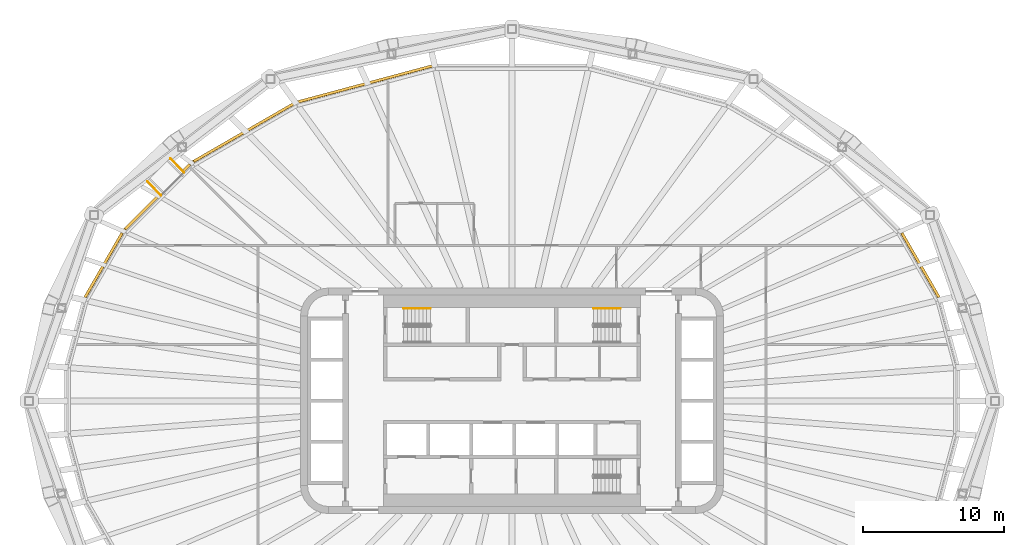
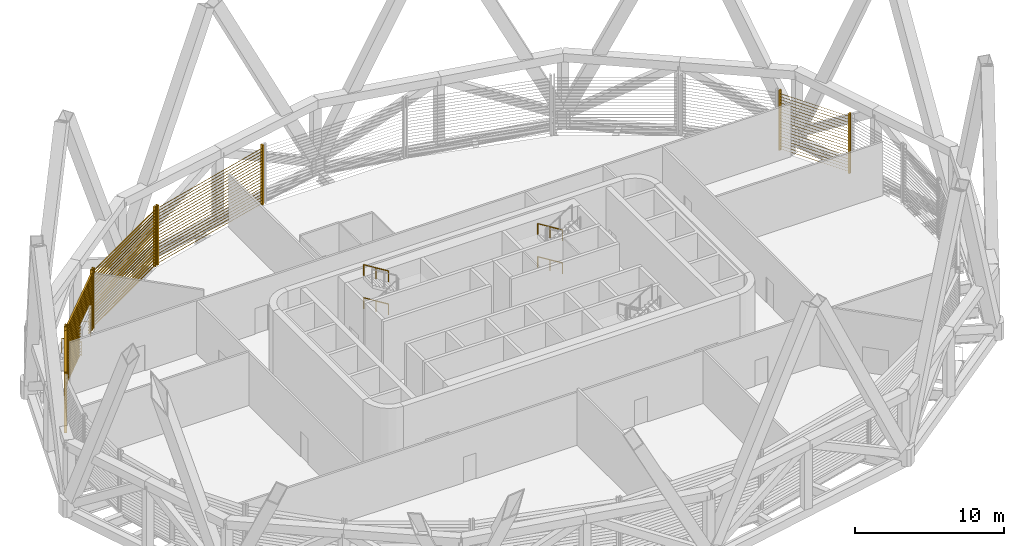
# One storey, part 16 of 18: 6 railings, 5 shading devices.
"""IFC4 building model written with IfcOpenShell, lengths in metres."""

from ifc_helpers import new_model, si_unit, direction, frame, origin, origin_2d, place, context, subcontext, project, spatial, rectangle, circle, extrude, material, type_object, element, save


model = new_model("IFC4")

# Units and contexts
model_context = context("Model", 3, precision=1e-05, world=origin(), true_north=direction((0.0, 1.0)))
body_context = subcontext(model_context, "Body", "Model", "MODEL_VIEW")
ifc_project = project(units=[si_unit("LENGTHUNIT", "METRE"), si_unit("AREAUNIT", "SQUARE_METRE"), si_unit("VOLUMEUNIT", "CUBIC_METRE"), si_unit("PLANEANGLEUNIT", "RADIAN"), si_unit("MASSUNIT", "GRAM", prefix="KILO")], contexts=[model_context])

# Site, building, storey
site_placement = place(None, origin())
site = spatial("IfcSite", under=ifc_project, at=site_placement, CompositionType="ELEMENT")
building_placement = place(site_placement, origin())
building = spatial("IfcBuilding", under=site, at=building_placement, Name="Sahrelin Media Tower", CompositionType="ELEMENT")
storey_placement = place(building_placement, frame((0.0, 0.0, 148.199951171875)))
storey = spatial("IfcBuildingStorey", under=building, at=storey_placement, Name="L30", CompositionType="ELEMENT", Elevation=148.199951171875)

# Railings
ifc_material_1 = material(Name="Stainless steel 316", Category="steel")
railing_type_1 = type_object("IfcRailingType", Name="Maintenance platform guard", PredefinedType="GUARDRAIL", material=ifc_material_1)
railing_1_placement = place(storey_placement, frame((-23.2509765625, 16.19580078125, 0.0)))
element("IfcRailing", 1, at=railing_1_placement, inside=storey, type_object=railing_type_1, Name="Maintenance platform guard L30-09-A", PredefinedType="GUARDRAIL", context=body_context, shape_type="SweptSolid", body=[
    extrude(circle(Radius=0.02392578125, at=origin_2d()), frame((0.0, 0.0, 1.17578125), z_axis=(-0.707106781187, 0.707106781187, 0.0), x_axis=(-0.707106781187, -0.707106781187, 0.0)), (0.0, 0.0, 1.0), 1.365478515625),
    extrude(circle(Radius=0.02099609375, at=origin_2d()), origin(), (0.0, 0.0, 1.0), 1.15185546875),
    extrude(circle(Radius=0.02099609375, at=origin_2d()), frame((-0.48291015625, 0.48291015625, 0.0)), (0.0, 0.0, 1.0), 1.15185546875),
    extrude(circle(Radius=0.02099609375, at=origin_2d()), frame((-0.965576171875, 0.965576171875, 0.0)), (0.0, 0.0, 1.0), 1.15185546875),
])
railing_2_placement = place(storey_placement, frame((-24.877197265625, 14.569580078125, 0.0)))
element("IfcRailing", 2, at=railing_2_placement, inside=storey, type_object=railing_type_1, Name="Maintenance platform guard L30-09-B", PredefinedType="GUARDRAIL", context=body_context, shape_type="SweptSolid", body=[
    extrude(circle(Radius=0.02392578125, at=origin_2d()), frame((0.0, 0.0, 1.17578125), z_axis=(-0.707285546639, 0.706927970528, 0.0), x_axis=(-0.706927970528, -0.707285546639, 0.0)), (0.0, 0.0, 1.0), 1.365478515625),
    extrude(circle(Radius=0.02099609375, at=origin_2d()), origin(), (0.0, 0.0, 1.0), 1.15185546875),
    extrude(circle(Radius=0.02099609375, at=origin_2d()), frame((-0.48291015625, 0.482666015625, 0.0)), (0.0, 0.0, 1.0), 1.15185546875),
    extrude(circle(Radius=0.02099609375, at=origin_2d()), frame((-0.9658203125, 0.96533203125, 0.0)), (0.0, 0.0, 1.0), 1.15185546875),
])

# Shading devices
ifc_material_2 = material(Name="Champagne anodised aluminium 6063-T6", Category="aluminium")
shading_device_type = type_object("IfcShadingDeviceType", Name="Sand-rejection louvre band", PredefinedType="USERDEFINED", material=ifc_material_2)
shading_device_1_placement = place(storey_placement, frame((28.866943359375, 9.552734375, 0.0), z_axis=(0.0, 0.0, 1.0), x_axis=(0.500011000363, -0.866019052629, 0.0)))
element("IfcShadingDevice", 3, at=shading_device_1_placement, inside=storey, type_object=shading_device_type, Name="L30:LOUVRE:L30-02", ObjectType="LOUVRE", PredefinedType="USERDEFINED", context=body_context, shape_type="SweptSolid", body=[
    extrude(rectangle(XDim=0.1201171875, YDim=0.199951171875, at=origin_2d()), frame((2.69580078125, 0.10009765625, 0.050048828125), z_axis=(0.0, 0.0, 1.0), x_axis=(1.0, 0.0, 0.0)), (0.0, 0.0, 1.0), 4.8984375),
    extrude(rectangle(XDim=0.1201171875, YDim=0.199951171875, at=origin_2d()), frame((-2.69580078125, 0.10009765625, 0.050048828125), z_axis=(0.0, 0.0, 1.0), x_axis=(1.0, 0.0, 0.0)), (0.0, 0.0, 1.0), 4.8984375),
    extrude(rectangle(XDim=0.25, YDim=0.02001953125, at=origin_2d()), frame((2.635986328125, 0.10009765625, 0.14990234375), z_axis=(-1.0, 0.0, 0.0), x_axis=(0.0, -0.766044443119, 0.642787609687)), (0.0, 0.0, 1.0), 5.27197265625),
    extrude(rectangle(XDim=0.25, YDim=0.02001953125, at=origin_2d()), frame((2.635986328125, 0.10009765625, 0.39990234375), z_axis=(-1.0, 0.0, 0.0), x_axis=(0.0, -0.766044443119, 0.642787609687)), (0.0, 0.0, 1.0), 5.27197265625),
    extrude(rectangle(XDim=0.25, YDim=0.02001953125, at=origin_2d()), frame((2.635986328125, 0.10009765625, 0.64990234375), z_axis=(-1.0, 0.0, 0.0), x_axis=(0.0, -0.766044443119, 0.642787609687)), (0.0, 0.0, 1.0), 5.27197265625),
    extrude(rectangle(XDim=0.25, YDim=0.02001953125, at=origin_2d()), frame((2.635986328125, 0.10009765625, 0.89990234375), z_axis=(-1.0, 0.0, 0.0), x_axis=(0.0, -0.766044443119, 0.642787609687)), (0.0, 0.0, 1.0), 5.27197265625),
    extrude(rectangle(XDim=0.25, YDim=0.02001953125, at=origin_2d()), frame((2.635986328125, 0.10009765625, 1.14990234375), z_axis=(-1.0, 0.0, 0.0), x_axis=(0.0, -0.766044443119, 0.642787609687)), (0.0, 0.0, 1.0), 5.27197265625),
    extrude(rectangle(XDim=0.25, YDim=0.02001953125, at=origin_2d()), frame((2.635986328125, 0.10009765625, 1.39990234375), z_axis=(-1.0, 0.0, 0.0), x_axis=(0.0, -0.766044443119, 0.642787609687)), (0.0, 0.0, 1.0), 5.27197265625),
    extrude(rectangle(XDim=0.25, YDim=0.02001953125, at=origin_2d()), frame((2.635986328125, 0.10009765625, 1.64990234375), z_axis=(-1.0, 0.0, 0.0), x_axis=(0.0, -0.766044443119, 0.642787609687)), (0.0, 0.0, 1.0), 5.27197265625),
    extrude(rectangle(XDim=0.25, YDim=0.02001953125, at=origin_2d()), frame((2.635986328125, 0.10009765625, 1.89990234375), z_axis=(-1.0, 0.0, 0.0), x_axis=(0.0, -0.766044443119, 0.642787609687)), (0.0, 0.0, 1.0), 5.27197265625),
    extrude(rectangle(XDim=0.25, YDim=0.02001953125, at=origin_2d()), frame((2.635986328125, 0.10009765625, 2.14990234375), z_axis=(-1.0, 0.0, 0.0), x_axis=(0.0, -0.766044443119, 0.642787609687)), (0.0, 0.0, 1.0), 5.27197265625),
    extrude(rectangle(XDim=0.25, YDim=0.02001953125, at=origin_2d()), frame((2.635986328125, 0.10009765625, 2.39990234375), z_axis=(-1.0, 0.0, 0.0), x_axis=(0.0, -0.766044443119, 0.642787609687)), (0.0, 0.0, 1.0), 5.27197265625),
    extrude(rectangle(XDim=0.25, YDim=0.02001953125, at=origin_2d()), frame((2.635986328125, 0.10009765625, 2.64990234375), z_axis=(-1.0, 0.0, 0.0), x_axis=(0.0, -0.766044443119, 0.642787609687)), (0.0, 0.0, 1.0), 5.27197265625),
    extrude(rectangle(XDim=0.25, YDim=0.02001953125, at=origin_2d()), frame((2.635986328125, 0.10009765625, 2.89990234375), z_axis=(-1.0, 0.0, 0.0), x_axis=(0.0, -0.766044443119, 0.642787609687)), (0.0, 0.0, 1.0), 5.27197265625),
    extrude(rectangle(XDim=0.25, YDim=0.02001953125, at=origin_2d()), frame((2.635986328125, 0.10009765625, 3.14990234375), z_axis=(-1.0, 0.0, 0.0), x_axis=(0.0, -0.766044443119, 0.642787609687)), (0.0, 0.0, 1.0), 5.27197265625),
    extrude(rectangle(XDim=0.25, YDim=0.02001953125, at=origin_2d()), frame((2.635986328125, 0.10009765625, 3.39990234375), z_axis=(-1.0, 0.0, 0.0), x_axis=(0.0, -0.766044443119, 0.642787609687)), (0.0, 0.0, 1.0), 5.27197265625),
    extrude(rectangle(XDim=0.25, YDim=0.02001953125, at=origin_2d()), frame((2.635986328125, 0.10009765625, 3.64990234375), z_axis=(-1.0, 0.0, 0.0), x_axis=(0.0, -0.766044443119, 0.642787609687)), (0.0, 0.0, 1.0), 5.27197265625),
    extrude(rectangle(XDim=0.25, YDim=0.02001953125, at=origin_2d()), frame((2.635986328125, 0.10009765625, 3.89990234375), z_axis=(-1.0, 0.0, 0.0), x_axis=(0.0, -0.766044443119, 0.642787609687)), (0.0, 0.0, 1.0), 5.27197265625),
    extrude(rectangle(XDim=0.25, YDim=0.02001953125, at=origin_2d()), frame((2.635986328125, 0.10009765625, 4.14990234375), z_axis=(-1.0, 0.0, 0.0), x_axis=(0.0, -0.766044443119, 0.642787609687)), (0.0, 0.0, 1.0), 5.27197265625),
    extrude(rectangle(XDim=0.25, YDim=0.02001953125, at=origin_2d()), frame((2.635986328125, 0.10009765625, 4.39990234375), z_axis=(-1.0, 0.0, 0.0), x_axis=(0.0, -0.766044443119, 0.642787609687)), (0.0, 0.0, 1.0), 5.27197265625),
    extrude(rectangle(XDim=0.25, YDim=0.02001953125, at=origin_2d()), frame((2.635986328125, 0.10009765625, 4.64990234375), z_axis=(-1.0, 0.0, 0.0), x_axis=(0.0, -0.766044443119, 0.642787609687)), (0.0, 0.0, 1.0), 5.27197265625),
])
shading_device_2_placement = place(storey_placement, frame((-10.375, 22.36572265625, 0.0), z_axis=(0.0, 0.0, 1.0), x_axis=(0.965928857556, 0.258807731996, 0.0)))
element("IfcShadingDevice", 4, at=shading_device_2_placement, inside=storey, type_object=shading_device_type, Name="L30:LOUVRE:L30-07", ObjectType="LOUVRE", PredefinedType="USERDEFINED", context=body_context, shape_type="SweptSolid", body=[
    extrude(rectangle(XDim=0.1201171875, YDim=0.199951171875, at=origin_2d()), frame((4.977294921875, 0.10009765625, 0.050048828125), z_axis=(0.0, 0.0, 1.0), x_axis=(1.0, 0.0, 0.0)), (0.0, 0.0, 1.0), 4.8984375),
    extrude(rectangle(XDim=0.1201171875, YDim=0.199951171875, at=origin_2d()), frame((-4.977294921875, 0.10009765625, 0.050048828125), z_axis=(0.0, 0.0, 1.0), x_axis=(1.0, 0.0, 0.0)), (0.0, 0.0, 1.0), 4.8984375),
    extrude(rectangle(XDim=0.25, YDim=0.02001953125, at=origin_2d()), frame((4.917236328125, 0.10009765625, 0.14990234375), z_axis=(-1.0, 0.0, 0.0), x_axis=(0.0, -0.766044443119, 0.642787609687)), (0.0, 0.0, 1.0), 9.83447265625),
    extrude(rectangle(XDim=0.25, YDim=0.02001953125, at=origin_2d()), frame((4.917236328125, 0.10009765625, 0.39990234375), z_axis=(-1.0, 0.0, 0.0), x_axis=(0.0, -0.766044443119, 0.642787609687)), (0.0, 0.0, 1.0), 9.83447265625),
    extrude(rectangle(XDim=0.25, YDim=0.02001953125, at=origin_2d()), frame((4.917236328125, 0.10009765625, 0.64990234375), z_axis=(-1.0, 0.0, 0.0), x_axis=(0.0, -0.766044443119, 0.642787609687)), (0.0, 0.0, 1.0), 9.83447265625),
    extrude(rectangle(XDim=0.25, YDim=0.02001953125, at=origin_2d()), frame((4.917236328125, 0.10009765625, 0.89990234375), z_axis=(-1.0, 0.0, 0.0), x_axis=(0.0, -0.766044443119, 0.642787609687)), (0.0, 0.0, 1.0), 9.83447265625),
    extrude(rectangle(XDim=0.25, YDim=0.02001953125, at=origin_2d()), frame((4.917236328125, 0.10009765625, 1.14990234375), z_axis=(-1.0, 0.0, 0.0), x_axis=(0.0, -0.766044443119, 0.642787609687)), (0.0, 0.0, 1.0), 9.83447265625),
    extrude(rectangle(XDim=0.25, YDim=0.02001953125, at=origin_2d()), frame((4.917236328125, 0.10009765625, 1.39990234375), z_axis=(-1.0, 0.0, 0.0), x_axis=(0.0, -0.766044443119, 0.642787609687)), (0.0, 0.0, 1.0), 9.83447265625),
    extrude(rectangle(XDim=0.25, YDim=0.02001953125, at=origin_2d()), frame((4.917236328125, 0.10009765625, 1.64990234375), z_axis=(-1.0, 0.0, 0.0), x_axis=(0.0, -0.766044443119, 0.642787609687)), (0.0, 0.0, 1.0), 9.83447265625),
    extrude(rectangle(XDim=0.25, YDim=0.02001953125, at=origin_2d()), frame((4.917236328125, 0.10009765625, 1.89990234375), z_axis=(-1.0, 0.0, 0.0), x_axis=(0.0, -0.766044443119, 0.642787609687)), (0.0, 0.0, 1.0), 9.83447265625),
    extrude(rectangle(XDim=0.25, YDim=0.02001953125, at=origin_2d()), frame((4.917236328125, 0.10009765625, 2.14990234375), z_axis=(-1.0, 0.0, 0.0), x_axis=(0.0, -0.766044443119, 0.642787609687)), (0.0, 0.0, 1.0), 9.83447265625),
    extrude(rectangle(XDim=0.25, YDim=0.02001953125, at=origin_2d()), frame((4.917236328125, 0.10009765625, 2.39990234375), z_axis=(-1.0, 0.0, 0.0), x_axis=(0.0, -0.766044443119, 0.642787609687)), (0.0, 0.0, 1.0), 9.83447265625),
    extrude(rectangle(XDim=0.25, YDim=0.02001953125, at=origin_2d()), frame((4.917236328125, 0.10009765625, 2.64990234375), z_axis=(-1.0, 0.0, 0.0), x_axis=(0.0, -0.766044443119, 0.642787609687)), (0.0, 0.0, 1.0), 9.83447265625),
    extrude(rectangle(XDim=0.25, YDim=0.02001953125, at=origin_2d()), frame((4.917236328125, 0.10009765625, 2.89990234375), z_axis=(-1.0, 0.0, 0.0), x_axis=(0.0, -0.766044443119, 0.642787609687)), (0.0, 0.0, 1.0), 9.83447265625),
    extrude(rectangle(XDim=0.25, YDim=0.02001953125, at=origin_2d()), frame((4.917236328125, 0.10009765625, 3.14990234375), z_axis=(-1.0, 0.0, 0.0), x_axis=(0.0, -0.766044443119, 0.642787609687)), (0.0, 0.0, 1.0), 9.83447265625),
    extrude(rectangle(XDim=0.25, YDim=0.02001953125, at=origin_2d()), frame((4.917236328125, 0.10009765625, 3.39990234375), z_axis=(-1.0, 0.0, 0.0), x_axis=(0.0, -0.766044443119, 0.642787609687)), (0.0, 0.0, 1.0), 9.83447265625),
    extrude(rectangle(XDim=0.25, YDim=0.02001953125, at=origin_2d()), frame((4.917236328125, 0.10009765625, 3.64990234375), z_axis=(-1.0, 0.0, 0.0), x_axis=(0.0, -0.766044443119, 0.642787609687)), (0.0, 0.0, 1.0), 9.83447265625),
    extrude(rectangle(XDim=0.25, YDim=0.02001953125, at=origin_2d()), frame((4.917236328125, 0.10009765625, 3.89990234375), z_axis=(-1.0, 0.0, 0.0), x_axis=(0.0, -0.766044443119, 0.642787609687)), (0.0, 0.0, 1.0), 9.83447265625),
    extrude(rectangle(XDim=0.25, YDim=0.02001953125, at=origin_2d()), frame((4.917236328125, 0.10009765625, 4.14990234375), z_axis=(-1.0, 0.0, 0.0), x_axis=(0.0, -0.766044443119, 0.642787609687)), (0.0, 0.0, 1.0), 9.83447265625),
    extrude(rectangle(XDim=0.25, YDim=0.02001953125, at=origin_2d()), frame((4.917236328125, 0.10009765625, 4.39990234375), z_axis=(-1.0, 0.0, 0.0), x_axis=(0.0, -0.766044443119, 0.642787609687)), (0.0, 0.0, 1.0), 9.83447265625),
    extrude(rectangle(XDim=0.25, YDim=0.02001953125, at=origin_2d()), frame((4.917236328125, 0.10009765625, 4.64990234375), z_axis=(-1.0, 0.0, 0.0), x_axis=(0.0, -0.766044443119, 0.642787609687)), (0.0, 0.0, 1.0), 9.83447265625),
])
shading_device_3_placement = place(storey_placement, frame((-18.966552734375, 18.926025390625, 0.0), z_axis=(0.0, 0.0, 1.0), x_axis=(0.866019052629, 0.500011000363, 0.0)))
element("IfcShadingDevice", 5, at=shading_device_3_placement, inside=storey, type_object=shading_device_type, Name="L30:LOUVRE:L30-08", ObjectType="LOUVRE", PredefinedType="USERDEFINED", context=body_context, shape_type="SweptSolid", body=[
    extrude(rectangle(XDim=0.1201171875, YDim=0.199951171875, at=origin_2d()), frame((4.136474609375, 0.10009765625, 0.050048828125), z_axis=(0.0, 0.0, 1.0), x_axis=(1.0, 0.0, 0.0)), (0.0, 0.0, 1.0), 4.8984375),
    extrude(rectangle(XDim=0.1201171875, YDim=0.199951171875, at=origin_2d()), frame((-4.136474609375, 0.10009765625, 0.050048828125), z_axis=(0.0, 0.0, 1.0), x_axis=(1.0, 0.0, 0.0)), (0.0, 0.0, 1.0), 4.8984375),
    extrude(rectangle(XDim=0.25, YDim=0.02001953125, at=origin_2d()), frame((4.076416015625, 0.10009765625, 0.14990234375), z_axis=(-1.0, 0.0, 0.0), x_axis=(0.0, -0.766044443119, 0.642787609687)), (0.0, 0.0, 1.0), 8.15283203125),
    extrude(rectangle(XDim=0.25, YDim=0.02001953125, at=origin_2d()), frame((4.076416015625, 0.10009765625, 0.39990234375), z_axis=(-1.0, 0.0, 0.0), x_axis=(0.0, -0.766044443119, 0.642787609687)), (0.0, 0.0, 1.0), 8.15283203125),
    extrude(rectangle(XDim=0.25, YDim=0.02001953125, at=origin_2d()), frame((4.076416015625, 0.10009765625, 0.64990234375), z_axis=(-1.0, 0.0, 0.0), x_axis=(0.0, -0.766044443119, 0.642787609687)), (0.0, 0.0, 1.0), 8.15283203125),
    extrude(rectangle(XDim=0.25, YDim=0.02001953125, at=origin_2d()), frame((4.076416015625, 0.10009765625, 0.89990234375), z_axis=(-1.0, 0.0, 0.0), x_axis=(0.0, -0.766044443119, 0.642787609687)), (0.0, 0.0, 1.0), 8.15283203125),
    extrude(rectangle(XDim=0.25, YDim=0.02001953125, at=origin_2d()), frame((4.076416015625, 0.10009765625, 1.14990234375), z_axis=(-1.0, 0.0, 0.0), x_axis=(0.0, -0.766044443119, 0.642787609687)), (0.0, 0.0, 1.0), 8.15283203125),
    extrude(rectangle(XDim=0.25, YDim=0.02001953125, at=origin_2d()), frame((4.076416015625, 0.10009765625, 1.39990234375), z_axis=(-1.0, 0.0, 0.0), x_axis=(0.0, -0.766044443119, 0.642787609687)), (0.0, 0.0, 1.0), 8.15283203125),
    extrude(rectangle(XDim=0.25, YDim=0.02001953125, at=origin_2d()), frame((4.076416015625, 0.10009765625, 1.64990234375), z_axis=(-1.0, 0.0, 0.0), x_axis=(0.0, -0.766044443119, 0.642787609687)), (0.0, 0.0, 1.0), 8.15283203125),
    extrude(rectangle(XDim=0.25, YDim=0.02001953125, at=origin_2d()), frame((4.076416015625, 0.10009765625, 1.89990234375), z_axis=(-1.0, 0.0, 0.0), x_axis=(0.0, -0.766044443119, 0.642787609687)), (0.0, 0.0, 1.0), 8.15283203125),
    extrude(rectangle(XDim=0.25, YDim=0.02001953125, at=origin_2d()), frame((4.076416015625, 0.10009765625, 2.14990234375), z_axis=(-1.0, 0.0, 0.0), x_axis=(0.0, -0.766044443119, 0.642787609687)), (0.0, 0.0, 1.0), 8.15283203125),
    extrude(rectangle(XDim=0.25, YDim=0.02001953125, at=origin_2d()), frame((4.076416015625, 0.10009765625, 2.39990234375), z_axis=(-1.0, 0.0, 0.0), x_axis=(0.0, -0.766044443119, 0.642787609687)), (0.0, 0.0, 1.0), 8.15283203125),
    extrude(rectangle(XDim=0.25, YDim=0.02001953125, at=origin_2d()), frame((4.076416015625, 0.10009765625, 2.64990234375), z_axis=(-1.0, 0.0, 0.0), x_axis=(0.0, -0.766044443119, 0.642787609687)), (0.0, 0.0, 1.0), 8.15283203125),
    extrude(rectangle(XDim=0.25, YDim=0.02001953125, at=origin_2d()), frame((4.076416015625, 0.10009765625, 2.89990234375), z_axis=(-1.0, 0.0, 0.0), x_axis=(0.0, -0.766044443119, 0.642787609687)), (0.0, 0.0, 1.0), 8.15283203125),
    extrude(rectangle(XDim=0.25, YDim=0.02001953125, at=origin_2d()), frame((4.076416015625, 0.10009765625, 3.14990234375), z_axis=(-1.0, 0.0, 0.0), x_axis=(0.0, -0.766044443119, 0.642787609687)), (0.0, 0.0, 1.0), 8.15283203125),
    extrude(rectangle(XDim=0.25, YDim=0.02001953125, at=origin_2d()), frame((4.076416015625, 0.10009765625, 3.39990234375), z_axis=(-1.0, 0.0, 0.0), x_axis=(0.0, -0.766044443119, 0.642787609687)), (0.0, 0.0, 1.0), 8.15283203125),
    extrude(rectangle(XDim=0.25, YDim=0.02001953125, at=origin_2d()), frame((4.076416015625, 0.10009765625, 3.64990234375), z_axis=(-1.0, 0.0, 0.0), x_axis=(0.0, -0.766044443119, 0.642787609687)), (0.0, 0.0, 1.0), 8.15283203125),
    extrude(rectangle(XDim=0.25, YDim=0.02001953125, at=origin_2d()), frame((4.076416015625, 0.10009765625, 3.89990234375), z_axis=(-1.0, 0.0, 0.0), x_axis=(0.0, -0.766044443119, 0.642787609687)), (0.0, 0.0, 1.0), 8.15283203125),
    extrude(rectangle(XDim=0.25, YDim=0.02001953125, at=origin_2d()), frame((4.076416015625, 0.10009765625, 4.14990234375), z_axis=(-1.0, 0.0, 0.0), x_axis=(0.0, -0.766044443119, 0.642787609687)), (0.0, 0.0, 1.0), 8.15283203125),
    extrude(rectangle(XDim=0.25, YDim=0.02001953125, at=origin_2d()), frame((4.076416015625, 0.10009765625, 4.39990234375), z_axis=(-1.0, 0.0, 0.0), x_axis=(0.0, -0.766044443119, 0.642787609687)), (0.0, 0.0, 1.0), 8.15283203125),
    extrude(rectangle(XDim=0.25, YDim=0.02001953125, at=origin_2d()), frame((4.076416015625, 0.10009765625, 4.64990234375), z_axis=(-1.0, 0.0, 0.0), x_axis=(0.0, -0.766044443119, 0.642787609687)), (0.0, 0.0, 1.0), 8.15283203125),
])
shading_device_4_placement = place(storey_placement, frame((-25.05419921875, 14.392822265625, 0.0), z_axis=(0.0, 0.0, 1.0), x_axis=(0.707106781187, 0.707106781187, 0.0)))
element("IfcShadingDevice", 6, at=shading_device_4_placement, inside=storey, type_object=shading_device_type, Name="L30:LOUVRE:L30-09", ObjectType="LOUVRE", PredefinedType="USERDEFINED", context=body_context, shape_type="SweptSolid", body=[
    extrude(rectangle(XDim=0.1201171875, YDim=0.199951171875, at=origin_2d()), frame((3.298095703125, 0.10009765625, 0.050048828125), z_axis=(0.0, 0.0, 1.0), x_axis=(1.0, 0.0, 0.0)), (0.0, 0.0, 1.0), 4.8984375),
    extrude(rectangle(XDim=0.1201171875, YDim=0.199951171875, at=origin_2d()), frame((-3.298095703125, 0.10009765625, 0.050048828125), z_axis=(0.0, 0.0, 1.0), x_axis=(1.0, 0.0, 0.0)), (0.0, 0.0, 1.0), 4.8984375),
    extrude(rectangle(XDim=0.25, YDim=0.02001953125, at=origin_2d()), frame((3.23828125, 0.10009765625, 0.14990234375), z_axis=(-1.0, 0.0, 0.0), x_axis=(0.0, -0.766044443119, 0.642787609687)), (0.0, 0.0, 1.0), 0.538330078125),
    extrude(rectangle(XDim=0.25, YDim=0.02001953125, at=origin_2d()), frame((0.099853515625, 0.10009765625, 0.14990234375), z_axis=(-1.0, 0.0, 0.0), x_axis=(0.0, -0.766044443119, 0.642787609687)), (0.0, 0.0, 1.0), 3.338134765625),
    extrude(rectangle(XDim=0.25, YDim=0.02001953125, at=origin_2d()), frame((3.23828125, 0.10009765625, 0.39990234375), z_axis=(-1.0, 0.0, 0.0), x_axis=(0.0, -0.766044443119, 0.642787609687)), (0.0, 0.0, 1.0), 0.538330078125),
    extrude(rectangle(XDim=0.25, YDim=0.02001953125, at=origin_2d()), frame((0.099853515625, 0.10009765625, 0.39990234375), z_axis=(-1.0, 0.0, 0.0), x_axis=(0.0, -0.766044443119, 0.642787609687)), (0.0, 0.0, 1.0), 3.338134765625),
    extrude(rectangle(XDim=0.25, YDim=0.02001953125, at=origin_2d()), frame((3.23828125, 0.10009765625, 0.64990234375), z_axis=(-1.0, 0.0, 0.0), x_axis=(0.0, -0.766044443119, 0.642787609687)), (0.0, 0.0, 1.0), 0.538330078125),
    extrude(rectangle(XDim=0.25, YDim=0.02001953125, at=origin_2d()), frame((0.099853515625, 0.10009765625, 0.64990234375), z_axis=(-1.0, 0.0, 0.0), x_axis=(0.0, -0.766044443119, 0.642787609687)), (0.0, 0.0, 1.0), 3.338134765625),
    extrude(rectangle(XDim=0.25, YDim=0.02001953125, at=origin_2d()), frame((3.23828125, 0.10009765625, 0.89990234375), z_axis=(-1.0, 0.0, 0.0), x_axis=(0.0, -0.766044443119, 0.642787609687)), (0.0, 0.0, 1.0), 0.538330078125),
    extrude(rectangle(XDim=0.25, YDim=0.02001953125, at=origin_2d()), frame((0.099853515625, 0.10009765625, 0.89990234375), z_axis=(-1.0, 0.0, 0.0), x_axis=(0.0, -0.766044443119, 0.642787609687)), (0.0, 0.0, 1.0), 3.338134765625),
    extrude(rectangle(XDim=0.25, YDim=0.02001953125, at=origin_2d()), frame((3.23828125, 0.10009765625, 1.14990234375), z_axis=(-1.0, 0.0, 0.0), x_axis=(0.0, -0.766044443119, 0.642787609687)), (0.0, 0.0, 1.0), 0.538330078125),
    extrude(rectangle(XDim=0.25, YDim=0.02001953125, at=origin_2d()), frame((0.099853515625, 0.10009765625, 1.14990234375), z_axis=(-1.0, 0.0, 0.0), x_axis=(0.0, -0.766044443119, 0.642787609687)), (0.0, 0.0, 1.0), 3.338134765625),
    extrude(rectangle(XDim=0.25, YDim=0.02001953125, at=origin_2d()), frame((3.23828125, 0.10009765625, 1.39990234375), z_axis=(-1.0, 0.0, 0.0), x_axis=(0.0, -0.766044443119, 0.642787609687)), (0.0, 0.0, 1.0), 0.538330078125),
    extrude(rectangle(XDim=0.25, YDim=0.02001953125, at=origin_2d()), frame((0.099853515625, 0.10009765625, 1.39990234375), z_axis=(-1.0, 0.0, 0.0), x_axis=(0.0, -0.766044443119, 0.642787609687)), (0.0, 0.0, 1.0), 3.338134765625),
    extrude(rectangle(XDim=0.25, YDim=0.02001953125, at=origin_2d()), frame((3.23828125, 0.10009765625, 1.64990234375), z_axis=(-1.0, 0.0, 0.0), x_axis=(0.0, -0.766044443119, 0.642787609687)), (0.0, 0.0, 1.0), 0.538330078125),
    extrude(rectangle(XDim=0.25, YDim=0.02001953125, at=origin_2d()), frame((0.099853515625, 0.10009765625, 1.64990234375), z_axis=(-1.0, 0.0, 0.0), x_axis=(0.0, -0.766044443119, 0.642787609687)), (0.0, 0.0, 1.0), 3.338134765625),
    extrude(rectangle(XDim=0.25, YDim=0.02001953125, at=origin_2d()), frame((3.23828125, 0.10009765625, 1.89990234375), z_axis=(-1.0, 0.0, 0.0), x_axis=(0.0, -0.766044443119, 0.642787609687)), (0.0, 0.0, 1.0), 0.538330078125),
    extrude(rectangle(XDim=0.25, YDim=0.02001953125, at=origin_2d()), frame((0.099853515625, 0.10009765625, 1.89990234375), z_axis=(-1.0, 0.0, 0.0), x_axis=(0.0, -0.766044443119, 0.642787609687)), (0.0, 0.0, 1.0), 3.338134765625),
    extrude(rectangle(XDim=0.25, YDim=0.02001953125, at=origin_2d()), frame((3.23828125, 0.10009765625, 2.14990234375), z_axis=(-1.0, 0.0, 0.0), x_axis=(0.0, -0.766044443119, 0.642787609687)), (0.0, 0.0, 1.0), 0.538330078125),
    extrude(rectangle(XDim=0.25, YDim=0.02001953125, at=origin_2d()), frame((0.099853515625, 0.10009765625, 2.14990234375), z_axis=(-1.0, 0.0, 0.0), x_axis=(0.0, -0.766044443119, 0.642787609687)), (0.0, 0.0, 1.0), 3.338134765625),
    extrude(rectangle(XDim=0.25, YDim=0.02001953125, at=origin_2d()), frame((3.23828125, 0.10009765625, 2.39990234375), z_axis=(-1.0, 0.0, 0.0), x_axis=(0.0, -0.766044443119, 0.642787609687)), (0.0, 0.0, 1.0), 0.538330078125),
    extrude(rectangle(XDim=0.25, YDim=0.02001953125, at=origin_2d()), frame((0.099853515625, 0.10009765625, 2.39990234375), z_axis=(-1.0, 0.0, 0.0), x_axis=(0.0, -0.766044443119, 0.642787609687)), (0.0, 0.0, 1.0), 3.338134765625),
    extrude(rectangle(XDim=0.25, YDim=0.02001953125, at=origin_2d()), frame((3.23828125, 0.10009765625, 2.64990234375), z_axis=(-1.0, 0.0, 0.0), x_axis=(0.0, -0.766044443119, 0.642787609687)), (0.0, 0.0, 1.0), 6.4765625),
    extrude(rectangle(XDim=0.25, YDim=0.02001953125, at=origin_2d()), frame((3.23828125, 0.10009765625, 2.89990234375), z_axis=(-1.0, 0.0, 0.0), x_axis=(0.0, -0.766044443119, 0.642787609687)), (0.0, 0.0, 1.0), 6.4765625),
    extrude(rectangle(XDim=0.25, YDim=0.02001953125, at=origin_2d()), frame((3.23828125, 0.10009765625, 3.14990234375), z_axis=(-1.0, 0.0, 0.0), x_axis=(0.0, -0.766044443119, 0.642787609687)), (0.0, 0.0, 1.0), 6.4765625),
    extrude(rectangle(XDim=0.25, YDim=0.02001953125, at=origin_2d()), frame((3.23828125, 0.10009765625, 3.39990234375), z_axis=(-1.0, 0.0, 0.0), x_axis=(0.0, -0.766044443119, 0.642787609687)), (0.0, 0.0, 1.0), 6.4765625),
    extrude(rectangle(XDim=0.25, YDim=0.02001953125, at=origin_2d()), frame((3.23828125, 0.10009765625, 3.64990234375), z_axis=(-1.0, 0.0, 0.0), x_axis=(0.0, -0.766044443119, 0.642787609687)), (0.0, 0.0, 1.0), 6.4765625),
    extrude(rectangle(XDim=0.25, YDim=0.02001953125, at=origin_2d()), frame((3.23828125, 0.10009765625, 3.89990234375), z_axis=(-1.0, 0.0, 0.0), x_axis=(0.0, -0.766044443119, 0.642787609687)), (0.0, 0.0, 1.0), 6.4765625),
    extrude(rectangle(XDim=0.25, YDim=0.02001953125, at=origin_2d()), frame((3.23828125, 0.10009765625, 4.14990234375), z_axis=(-1.0, 0.0, 0.0), x_axis=(0.0, -0.766044443119, 0.642787609687)), (0.0, 0.0, 1.0), 6.4765625),
    extrude(rectangle(XDim=0.25, YDim=0.02001953125, at=origin_2d()), frame((3.23828125, 0.10009765625, 4.39990234375), z_axis=(-1.0, 0.0, 0.0), x_axis=(0.0, -0.766044443119, 0.642787609687)), (0.0, 0.0, 1.0), 6.4765625),
    extrude(rectangle(XDim=0.25, YDim=0.02001953125, at=origin_2d()), frame((3.23828125, 0.10009765625, 4.64990234375), z_axis=(-1.0, 0.0, 0.0), x_axis=(0.0, -0.766044443119, 0.642787609687)), (0.0, 0.0, 1.0), 6.4765625),
])
shading_device_5_placement = place(storey_placement, frame((-28.866943359375, 9.552734375, 0.0), z_axis=(0.0, 0.0, 1.0), x_axis=(0.500011000363, 0.866019052629, 0.0)))
element("IfcShadingDevice", 7, at=shading_device_5_placement, inside=storey, type_object=shading_device_type, Name="L30:LOUVRE:L30-10", ObjectType="LOUVRE", PredefinedType="USERDEFINED", context=body_context, shape_type="SweptSolid", body=[
    extrude(rectangle(XDim=0.1201171875, YDim=0.199951171875, at=origin_2d()), frame((2.69580078125, 0.10009765625, 0.050048828125), z_axis=(0.0, 0.0, 1.0), x_axis=(1.0, 0.0, 0.0)), (0.0, 0.0, 1.0), 4.8984375),
    extrude(rectangle(XDim=0.1201171875, YDim=0.199951171875, at=origin_2d()), frame((-2.69580078125, 0.10009765625, 0.050048828125), z_axis=(0.0, 0.0, 1.0), x_axis=(1.0, 0.0, 0.0)), (0.0, 0.0, 1.0), 4.8984375),
    extrude(rectangle(XDim=0.25, YDim=0.02001953125, at=origin_2d()), frame((2.635986328125, 0.10009765625, 0.14990234375), z_axis=(-1.0, 0.0, 0.0), x_axis=(0.0, -0.766044443119, 0.642787609687)), (0.0, 0.0, 1.0), 5.27197265625),
    extrude(rectangle(XDim=0.25, YDim=0.02001953125, at=origin_2d()), frame((2.635986328125, 0.10009765625, 0.39990234375), z_axis=(-1.0, 0.0, 0.0), x_axis=(0.0, -0.766044443119, 0.642787609687)), (0.0, 0.0, 1.0), 5.27197265625),
    extrude(rectangle(XDim=0.25, YDim=0.02001953125, at=origin_2d()), frame((2.635986328125, 0.10009765625, 0.64990234375), z_axis=(-1.0, 0.0, 0.0), x_axis=(0.0, -0.766044443119, 0.642787609687)), (0.0, 0.0, 1.0), 5.27197265625),
    extrude(rectangle(XDim=0.25, YDim=0.02001953125, at=origin_2d()), frame((2.635986328125, 0.10009765625, 0.89990234375), z_axis=(-1.0, 0.0, 0.0), x_axis=(0.0, -0.766044443119, 0.642787609687)), (0.0, 0.0, 1.0), 5.27197265625),
    extrude(rectangle(XDim=0.25, YDim=0.02001953125, at=origin_2d()), frame((2.635986328125, 0.10009765625, 1.14990234375), z_axis=(-1.0, 0.0, 0.0), x_axis=(0.0, -0.766044443119, 0.642787609687)), (0.0, 0.0, 1.0), 5.27197265625),
    extrude(rectangle(XDim=0.25, YDim=0.02001953125, at=origin_2d()), frame((2.635986328125, 0.10009765625, 1.39990234375), z_axis=(-1.0, 0.0, 0.0), x_axis=(0.0, -0.766044443119, 0.642787609687)), (0.0, 0.0, 1.0), 5.27197265625),
    extrude(rectangle(XDim=0.25, YDim=0.02001953125, at=origin_2d()), frame((2.635986328125, 0.10009765625, 1.64990234375), z_axis=(-1.0, 0.0, 0.0), x_axis=(0.0, -0.766044443119, 0.642787609687)), (0.0, 0.0, 1.0), 5.27197265625),
    extrude(rectangle(XDim=0.25, YDim=0.02001953125, at=origin_2d()), frame((2.635986328125, 0.10009765625, 1.89990234375), z_axis=(-1.0, 0.0, 0.0), x_axis=(0.0, -0.766044443119, 0.642787609687)), (0.0, 0.0, 1.0), 5.27197265625),
    extrude(rectangle(XDim=0.25, YDim=0.02001953125, at=origin_2d()), frame((2.635986328125, 0.10009765625, 2.14990234375), z_axis=(-1.0, 0.0, 0.0), x_axis=(0.0, -0.766044443119, 0.642787609687)), (0.0, 0.0, 1.0), 5.27197265625),
    extrude(rectangle(XDim=0.25, YDim=0.02001953125, at=origin_2d()), frame((2.635986328125, 0.10009765625, 2.39990234375), z_axis=(-1.0, 0.0, 0.0), x_axis=(0.0, -0.766044443119, 0.642787609687)), (0.0, 0.0, 1.0), 5.27197265625),
    extrude(rectangle(XDim=0.25, YDim=0.02001953125, at=origin_2d()), frame((2.635986328125, 0.10009765625, 2.64990234375), z_axis=(-1.0, 0.0, 0.0), x_axis=(0.0, -0.766044443119, 0.642787609687)), (0.0, 0.0, 1.0), 5.27197265625),
    extrude(rectangle(XDim=0.25, YDim=0.02001953125, at=origin_2d()), frame((2.635986328125, 0.10009765625, 2.89990234375), z_axis=(-1.0, 0.0, 0.0), x_axis=(0.0, -0.766044443119, 0.642787609687)), (0.0, 0.0, 1.0), 5.27197265625),
    extrude(rectangle(XDim=0.25, YDim=0.02001953125, at=origin_2d()), frame((2.635986328125, 0.10009765625, 3.14990234375), z_axis=(-1.0, 0.0, 0.0), x_axis=(0.0, -0.766044443119, 0.642787609687)), (0.0, 0.0, 1.0), 5.27197265625),
    extrude(rectangle(XDim=0.25, YDim=0.02001953125, at=origin_2d()), frame((2.635986328125, 0.10009765625, 3.39990234375), z_axis=(-1.0, 0.0, 0.0), x_axis=(0.0, -0.766044443119, 0.642787609687)), (0.0, 0.0, 1.0), 5.27197265625),
    extrude(rectangle(XDim=0.25, YDim=0.02001953125, at=origin_2d()), frame((2.635986328125, 0.10009765625, 3.64990234375), z_axis=(-1.0, 0.0, 0.0), x_axis=(0.0, -0.766044443119, 0.642787609687)), (0.0, 0.0, 1.0), 5.27197265625),
    extrude(rectangle(XDim=0.25, YDim=0.02001953125, at=origin_2d()), frame((2.635986328125, 0.10009765625, 3.89990234375), z_axis=(-1.0, 0.0, 0.0), x_axis=(0.0, -0.766044443119, 0.642787609687)), (0.0, 0.0, 1.0), 5.27197265625),
    extrude(rectangle(XDim=0.25, YDim=0.02001953125, at=origin_2d()), frame((2.635986328125, 0.10009765625, 4.14990234375), z_axis=(-1.0, 0.0, 0.0), x_axis=(0.0, -0.766044443119, 0.642787609687)), (0.0, 0.0, 1.0), 5.27197265625),
    extrude(rectangle(XDim=0.25, YDim=0.02001953125, at=origin_2d()), frame((2.635986328125, 0.10009765625, 4.39990234375), z_axis=(-1.0, 0.0, 0.0), x_axis=(0.0, -0.766044443119, 0.642787609687)), (0.0, 0.0, 1.0), 5.27197265625),
    extrude(rectangle(XDim=0.25, YDim=0.02001953125, at=origin_2d()), frame((2.635986328125, 0.10009765625, 4.64990234375), z_axis=(-1.0, 0.0, 0.0), x_axis=(0.0, -0.766044443119, 0.642787609687)), (0.0, 0.0, 1.0), 5.27197265625),
])

# Railings
ifc_material_3 = material(Name="Steel S355", Category="steel")
railing_type_2 = type_object("IfcRailingType", Name="Stair handrail 900", PredefinedType="HANDRAIL", material=ifc_material_3)
railing_3_placement = place(storey_placement, frame((-5.77490234375, 6.550048828125, 1.518798828125)))
element("IfcRailing", 8, at=railing_3_placement, inside=storey, type_object=railing_type_2, Name="L30 ST1 stair handrail 2", PredefinedType="HANDRAIL", context=body_context, shape_type="SweptSolid", body=[
    extrude(circle(Radius=0.02392578125, at=origin_2d()), frame((0.0, 0.0, 0.8759765625), z_axis=(-0.849289292259, 0.0, 0.527927739425), x_axis=(0.0, -1.0, 0.0)), (0.0, 0.0, 1.0), 2.2373046875),
    extrude(circle(Radius=0.02099609375, at=origin_2d()), origin(), (0.0, 0.0, 1.0), 0.851806640625),
    extrude(circle(Radius=0.02099609375, at=origin_2d()), frame((-0.9501953125, 0.0, 0.590576171875)), (0.0, 0.0, 1.0), 0.851806640625),
    extrude(circle(Radius=0.02099609375, at=origin_2d()), frame((-1.900146484375, 0.0, 1.18115234375)), (0.0, 0.0, 1.0), 0.851806640625),
])
for number, where, name in (
    (9, (-5.77490234375, 6.550048828125, 4.21875), "L30 ST1 stair handrail 4"),
    (10, (7.675048828125, 6.550048828125, 0.168701171875), "L30 ST3 stair handrail 1"),
):
    element("IfcRailing", number, at=place(storey_placement, frame(where)), inside=storey, type_object=railing_type_2, Name=name, PredefinedType="HANDRAIL", context=body_context, shape_type="SweptSolid", body=[
        extrude(circle(Radius=0.02392578125, at=origin_2d()), frame((0.0, 0.0, 0.8759765625), z_axis=(-0.849240365539, 0.0, 0.528006440812), x_axis=(0.0, -1.0, 0.0)), (0.0, 0.0, 1.0), 2.237548828125),
        extrude(circle(Radius=0.02099609375, at=origin_2d()), origin(), (0.0, 0.0, 1.0), 0.851806640625),
        extrude(circle(Radius=0.02099609375, at=origin_2d()), frame((-0.9501953125, 0.0, 0.5908203125)), (0.0, 0.0, 1.0), 0.851806640625),
        extrude(circle(Radius=0.02099609375, at=origin_2d()), frame((-1.900146484375, 0.0, 1.181396484375)), (0.0, 0.0, 1.0), 0.851806640625),
    ])
railing_4_placement = place(storey_placement, frame((7.675048828125, 6.550048828125, 2.868896484375)))
element("IfcRailing", 11, at=railing_4_placement, inside=storey, type_object=railing_type_2, Name="L30 ST3 stair handrail 3", PredefinedType="HANDRAIL", context=body_context, shape_type="SweptSolid", body=[
    extrude(circle(Radius=0.02392578125, at=origin_2d()), frame((0.0, 0.0, 0.8759765625), z_axis=(-0.849289292259, 0.0, 0.527927739425), x_axis=(0.0, -1.0, 0.0)), (0.0, 0.0, 1.0), 2.2373046875),
    extrude(circle(Radius=0.02099609375, at=origin_2d()), origin(), (0.0, 0.0, 1.0), 0.851806640625),
    extrude(circle(Radius=0.02099609375, at=origin_2d()), frame((-0.9501953125, 0.0, 0.590576171875)), (0.0, 0.0, 1.0), 0.851806640625),
    extrude(circle(Radius=0.02099609375, at=origin_2d()), frame((-1.900146484375, 0.0, 1.18115234375)), (0.0, 0.0, 1.0), 0.851806640625),
])

save(model, "model.ifc")
